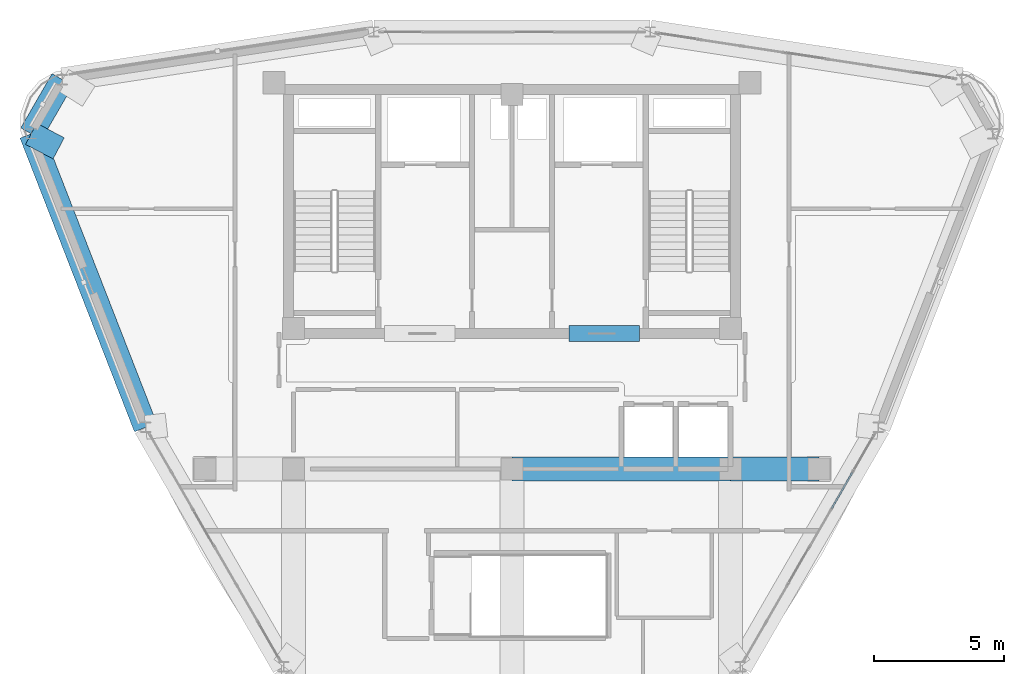
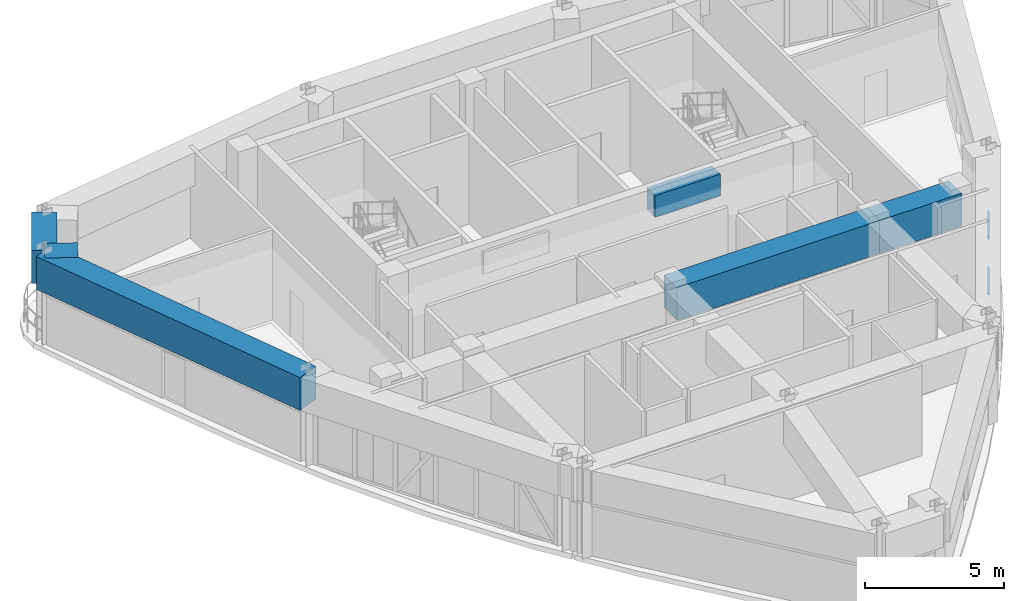
# One storey, part 6 of 16: 6 beams, 2 members, 1 element without a shape of its own.
"""IFC4 building model written with IfcOpenShell, lengths in metres."""

import ifcopenshell
import ifcopenshell.guid

model = None  # the IFC model being written
_history = None  # IfcOwnerHistory: only IFC2X3 demands one
_inside = {}  # id of a spatial element -> (the spatial element, [elements in it])
_under = {}  # id of a project, library or spatial element -> (it, [spatial elements below it])
_declared = {}  # id of a project -> (the project, [libraries it declares])
_typed = {}  # id of a type object -> (the type object, [elements of that type])
_made_of = {}  # id of a material, layer set ... -> (it, [elements and type objects made of it])


def new_model(schema):
    """Start an empty IFC model of exactly this schema.

    Asked for "IFC4X3", IfcOpenShell would pick the latest addendum, in which some entities
    have other attributes; the version numbers below select the first issue.
    IFC2X3 requires an IfcOwnerHistory on every rooted entity: one is made here for all.
    """
    global model, _history
    if schema == "IFC4X3":
        model = ifcopenshell.file(schema_version=(4, 3, 0, 0))
    else:
        model = ifcopenshell.file(schema=schema)
    _inside.clear()
    _under.clear()
    _declared.clear()
    _typed.clear()
    _made_of.clear()
    _history = None
    if model.schema == "IFC2X3":
        org = make("IfcOrganization", Name="unknown")
        user = make(
            "IfcPersonAndOrganization",
            ThePerson=make("IfcPerson", FamilyName="unknown"),
            TheOrganization=org,
        )
        app = make(
            "IfcApplication",
            ApplicationDeveloper=org,
            Version="unknown",
            ApplicationFullName="unknown",
            ApplicationIdentifier="unknown",
        )
        _history = make(
            "IfcOwnerHistory",
            OwningUser=user,
            OwningApplication=app,
            ChangeAction="ADDED",
            CreationDate=0,
        )
    return model


def make(cls, **values):
    """One entity of the class cls with the attributes given. An attribute that is None is left unset."""
    return model.create_entity(
        cls, **{name: value for name, value in values.items() if value is not None}
    )


def rooted(cls, **values):
    """An entity with a GlobalId (a new one), such as an element, a storey or a relation."""
    return make(cls, GlobalId=ifcopenshell.guid.new(), OwnerHistory=_history, **values)


def si_unit(unit_type, name, prefix=None):
    """IfcSIUnit, for example si_unit("LENGTHUNIT", "METRE", prefix="MILLI")."""
    return make("IfcSIUnit", UnitType=unit_type, Prefix=prefix, Name=name)


def derived_unit(unit_type, elements):
    """IfcDerivedUnit: a product of units, each with its exponent."""
    return make(
        "IfcDerivedUnit",
        Elements=[
            make("IfcDerivedUnitElement", Unit=unit, Exponent=power)
            for unit, power in elements
        ],
        UnitType=unit_type,
    )


def assignment(units):
    """IfcUnitAssignment: the units of a project."""
    return None if units is None else make("IfcUnitAssignment", Units=units)


def point(xyz):
    """IfcCartesianPoint."""
    return None if xyz is None else make("IfcCartesianPoint", Coordinates=xyz)


def direction(xyz):
    """IfcDirection."""
    return None if xyz is None else make("IfcDirection", DirectionRatios=xyz)


def frame(location, z_axis=None, x_axis=None):
    """IfcAxis2Placement3D, a coordinate frame: its origin and axes. An axis left out is left unset."""
    return make(
        "IfcAxis2Placement3D",
        Location=point(location),
        Axis=direction(z_axis),
        RefDirection=direction(x_axis),
    )


def frame_2d(location, x_axis=None):
    """IfcAxis2Placement2D, a coordinate frame in the plane: its origin and x axis."""
    return make(
        "IfcAxis2Placement2D", Location=point(location), RefDirection=direction(x_axis)
    )


def origin():
    """The frame at (0, 0, 0) with its axes left unset."""
    return frame((0.0, 0.0, 0.0))


def origin_2d():
    """The frame at (0, 0) in the plane with its x axis left unset."""
    return frame_2d((0.0, 0.0))


def place(relative_to, where):
    """IfcLocalPlacement: puts the frame where relative to a parent placement (None: the world)."""
    return make(
        "IfcLocalPlacement", PlacementRelTo=relative_to, RelativePlacement=where
    )


def context(
    kind, dimensions, precision=None, world=None, true_north=None, identifier=None
):
    """IfcGeometricRepresentationContext, for example the 3D "Model" context."""
    return make(
        "IfcGeometricRepresentationContext",
        ContextIdentifier=identifier,
        ContextType=kind,
        CoordinateSpaceDimension=dimensions,
        Precision=precision,
        WorldCoordinateSystem=world,
        TrueNorth=true_north,
    )


def subcontext(parent, identifier, kind, view, scale=None):
    """IfcGeometricRepresentationSubContext, for example "Body" below "Model"."""
    return make(
        "IfcGeometricRepresentationSubContext",
        ContextIdentifier=identifier,
        ContextType=kind,
        ParentContext=parent,
        TargetScale=scale,
        TargetView=view,
    )


def project(units=None, contexts=None):
    """IfcProject with its units and contexts."""
    return rooted(
        "IfcProject",
        Name="project",
        RepresentationContexts=contexts,
        UnitsInContext=assignment(units),
    )


def spatial(cls, under=None, at=None, **own):
    """A site, building, storey or space (cls), placed at a placement, below another one or the project."""
    s = rooted(cls, ObjectPlacement=at, **own)
    if under is not None:
        _under.setdefault(under.id(), (under, []))[1].append(s)
    return s


def profile(cls, at=None, kind="AREA", **sizes):
    """A parametric profile (cls). Its sizes go by their IFC names, for example OverallWidth=200.0."""
    return make(cls, ProfileType=kind, Position=at, **sizes)


def rectangle(**sizes):
    """IfcRectangleProfileDef."""
    return profile("IfcRectangleProfileDef", **sizes)


def hollow_rectangle(**sizes):
    """IfcRectangleHollowProfileDef."""
    return profile("IfcRectangleHollowProfileDef", **sizes)


def extrude(swept, where, along, depth):
    """IfcExtrudedAreaSolid: the profile swept, set in the frame where, extruded along a direction by depth."""
    return make(
        "IfcExtrudedAreaSolid",
        SweptArea=swept,
        Position=where,
        ExtrudedDirection=direction(along),
        Depth=depth,
    )


def shape(context_of_items, identifier, shape_type, items):
    """IfcShapeRepresentation: the items that make up one representation, for example the "Body"."""
    return make(
        "IfcShapeRepresentation",
        ContextOfItems=context_of_items,
        RepresentationIdentifier=identifier,
        RepresentationType=shape_type,
        Items=items,
    )


def source(mapping_origin, context_of_items, identifier, shape_type, items):
    """IfcRepresentationMap: a shape defined once, which mapped items show again and again."""
    return make(
        "IfcRepresentationMap",
        MappingOrigin=mapping_origin,
        MappedRepresentation=shape(context_of_items, identifier, shape_type, items),
    )


def transform(
    local_origin,
    x_axis=None,
    y_axis=None,
    z_axis=None,
    scale=None,
    scale2=None,
    scale3=None,
    uniform=True,
):
    """IfcCartesianTransformationOperator3D, or its non-uniform kind. x_axis, y_axis, z_axis: its Axis1, 2, 3."""
    if uniform:
        return make(
            "IfcCartesianTransformationOperator3D",
            Axis1=direction(x_axis),
            Axis2=direction(y_axis),
            LocalOrigin=point(local_origin),
            Scale=scale,
            Axis3=direction(z_axis),
        )
    return make(
        "IfcCartesianTransformationOperator3DnonUniform",
        Axis1=direction(x_axis),
        Axis2=direction(y_axis),
        LocalOrigin=point(local_origin),
        Scale=scale,
        Axis3=direction(z_axis),
        Scale2=scale2,
        Scale3=scale3,
    )


def mapped(mapping_source, mapping_target):
    """IfcMappedItem: shows the shape of a source again, moved by a transform."""
    return make(
        "IfcMappedItem", MappingSource=mapping_source, MappingTarget=mapping_target
    )


def material(Name=None, Category=None):
    """IfcMaterial."""
    return make("IfcMaterial", Name=Name, Category=Category)


def layer(
    of_material, thickness, ventilated=None, Name=None, Category=None, Priority=None
):
    """IfcMaterialLayer: one layer of a wall or slab, of a material (None: an air gap)."""
    return make(
        "IfcMaterialLayer",
        Material=of_material,
        LayerThickness=thickness,
        IsVentilated=ventilated,
        Name=Name,
        Category=Category,
        Priority=Priority,
    )


def layer_set(layers, Name=None):
    """IfcMaterialLayerSet."""
    return make("IfcMaterialLayerSet", MaterialLayers=layers, LayerSetName=Name)


def material_profile(
    of_material, cross_section, Name=None, Category=None, Priority=None
):
    """IfcMaterialProfile: a cross section and its material."""
    return make(
        "IfcMaterialProfile",
        Name=Name,
        Material=of_material,
        Profile=cross_section,
        Priority=Priority,
        Category=Category,
    )


def profile_set(profiles, Name=None, composite=None):
    """IfcMaterialProfileSet."""
    return make(
        "IfcMaterialProfileSet",
        Name=Name,
        MaterialProfiles=profiles,
        CompositeProfile=composite,
    )


def made_of(thing, what):
    """Note that an element or type object is made of a material, layer set ...; save() writes the relation."""
    if what is not None:
        _made_of.setdefault(what.id(), (what, []))[1].append(thing)
    return thing


def type_object(cls, material=None, **own):
    """A type object (cls), such as IfcWallType, which elements share."""
    return made_of(rooted(cls, **own), material)


def element(
    cls,
    number,
    at=None,
    inside=None,
    cuts=None,
    type_object=None,
    material=None,
    context=None,
    identifier="Body",
    shape_type=None,
    held_by="IfcProductDefinitionShape",
    body=None,
    shapes=None,
    **own,
):
    """One element of the class cls, such as IfcWall. Its Tag is "e" and its number.

    at: its placement. inside: the storey or other place that contains it. cuts: it is an
    opening in that element (IfcRelVoidsElement). A single representation is given by context,
    identifier, shape_type and body (its items); several are given by shapes. held_by: the class
    of the entity that holds the representations. save() writes the other relations.
    """
    e = rooted(cls, Tag="e%d" % number, ObjectPlacement=at, **own)
    if body is not None:
        shapes = [shape(context, identifier, shape_type, body)]
    if shapes is not None:
        e.Representation = make(held_by, Representations=shapes)
    if inside is not None:
        _inside.setdefault(inside.id(), (inside, []))[1].append(e)
    if cuts is not None:
        rooted(
            "IfcRelVoidsElement", RelatingBuildingElement=cuts, RelatedOpeningElement=e
        )
    if type_object is not None:
        _typed.setdefault(type_object.id(), (type_object, []))[1].append(e)
    return made_of(e, material)


def aggregate(whole, parts):
    """IfcRelAggregates: a whole, such as a stair, and the parts it consists of."""
    return rooted("IfcRelAggregates", RelatingObject=whole, RelatedObjects=parts)


def save(model, path):
    """Write the relations noted so far, then the file.

    IfcRelAggregates (storeys below a building ...), IfcRelContainedInSpatialStructure (elements
    in a storey), IfcRelDefinesByType, IfcRelAssociatesMaterial and IfcRelDeclares: one each for
    every whole, place, type object, material and project.
    """
    for whole, parts in _under.values():
        aggregate(whole, parts)
    for where, things in _inside.values():
        rooted(
            "IfcRelContainedInSpatialStructure",
            RelatedElements=things,
            RelatingStructure=where,
        )
    for kind, things in _typed.values():
        rooted("IfcRelDefinesByType", RelatedObjects=things, RelatingType=kind)
    for what, things in _made_of.values():
        rooted("IfcRelAssociatesMaterial", RelatedObjects=things, RelatingMaterial=what)
    for by, libraries in _declared.values():
        rooted("IfcRelDeclares", RelatingContext=by, RelatedDefinitions=libraries)
    model.write(path)


model = new_model("IFC4")

# Units and contexts
model_context = context("Model", 3, precision=1e-05, world=origin(), true_north=direction((0.0, 1.0)))
body_context = subcontext(model_context, "Body", "Model", "MODEL_VIEW")
ifc_project = project(units=[si_unit("LENGTHUNIT", "METRE"), si_unit("AREAUNIT", "SQUARE_METRE"), si_unit("VOLUMEUNIT", "CUBIC_METRE"), si_unit("PLANEANGLEUNIT", "RADIAN"), si_unit("MASSUNIT", "GRAM", prefix="KILO"), derived_unit("THERMALTRANSMITTANCEUNIT", [(si_unit("POWERUNIT", "WATT"), 1), (si_unit("LENGTHUNIT", "METRE"), -2), (si_unit("THERMODYNAMICTEMPERATUREUNIT", "KELVIN"), -1)])], contexts=[model_context])

# Site, building, storey
site_placement = place(None, origin())
site = spatial("IfcSite", under=ifc_project, at=site_placement, CompositionType="ELEMENT")
building_placement = place(site_placement, origin())
building = spatial("IfcBuilding", under=site, at=building_placement, Name="Korsvarv Bourse and Concert Hall", CompositionType="ELEMENT")
storey_placement = place(building_placement, frame((0.0, 0.0, 288.0)))
storey = spatial("IfcBuildingStorey", under=building, at=storey_placement, Name="L75", CompositionType="ELEMENT", Elevation=288.0)

# Beams
ifc_material_1 = material(Name="Concrete C55/67", Category="concrete")
ifc_material_profile_1 = material_profile(ifc_material_1, rectangle(XDim=0.60009765625, YDim=0.949951171875, at=origin_2d()), Name="RC-BM 600x950")
ifc_profile_set_1 = profile_set([ifc_material_profile_1], Name="Concrete C55/67")
beam_type_1 = type_object("IfcBeamType", Name="BM-CPL", PredefinedType="LINTEL", material=ifc_profile_set_1)
shared_shape_1 = source(origin(), body_context, "Body", "SweptSolid", [
    extrude(rectangle(XDim=0.60009765625, YDim=0.949951171875, at=origin_2d()), origin(), (0.0, 0.0, 1.0), 2.699951171875),
])
beam_1_placement = place(storey_placement, frame((38.199951171875, 37.610107421875, 3.47509765625), z_axis=(1.0, 0.0, 0.0), x_axis=(0.0, 1.0, 0.0)))
element("IfcBeam", 1, at=beam_1_placement, inside=storey, type_object=beam_type_1, Name="L75 Core Coupling Beam East", PredefinedType="LINTEL", context=body_context, shape_type="MappedRepresentation", body=[
    mapped(shared_shape_1, transform((0.0, 0.0, 0.0), scale=1.0)),
])
ifc_material_2 = material(Name="Concrete C50/60", Category="concrete")
ifc_material_profile_2 = material_profile(ifc_material_2, rectangle(XDim=0.919921875, YDim=1.43994140625, at=origin_2d()), Name="RC-BM 920x1440")
ifc_profile_set_2 = profile_set([ifc_material_profile_2], Name="Concrete C50/60")
beam_type_2 = type_object("IfcBeamType", Name="BM-TR-144", PredefinedType="BEAM", material=ifc_profile_set_2)
shared_shape_2 = source(origin(), body_context, "Body", "SweptSolid", [
    extrude(rectangle(XDim=0.919921875, YDim=1.43994140625, at=origin_2d()), origin(), (0.0, 0.0, 1.0), 3.400146484375),
])
beam_2_placement = place(storey_placement, frame((44.39990234375, 32.39990234375, 3.22998046875), z_axis=(1.0, 0.0, 0.0), x_axis=(0.0, 1.0, 0.0)))
element("IfcBeam", 2, at=beam_2_placement, inside=storey, type_object=beam_type_2, Name="L75 beam B-TR4", PredefinedType="BEAM", context=body_context, shape_type="MappedRepresentation", body=[
    mapped(shared_shape_2, transform((0.0, 0.0, 0.0), scale=1.0)),
])
shared_shape_3 = source(origin(), body_context, "Body", "SweptSolid", [
    extrude(rectangle(XDim=0.919921875, YDim=1.43994140625, at=origin_2d()), origin(), (0.0, 0.0, 1.0), 8.39990234375),
])
beam_3_placement = place(storey_placement, frame((36.0, 32.39990234375, 3.22998046875), z_axis=(1.0, 0.0, 0.0), x_axis=(0.0, 1.0, 0.0)))
element("IfcBeam", 3, at=beam_3_placement, inside=storey, type_object=beam_type_2, Name="L75 beam B-TR4", PredefinedType="BEAM", context=body_context, shape_type="MappedRepresentation", body=[
    mapped(shared_shape_3, transform((0.0, 0.0, 0.0), scale=1.0)),
])
shared_shape_4 = source(origin(), body_context, "Body", "SweptSolid", [
    extrude(rectangle(XDim=0.919921875, YDim=1.43994140625, at=origin_2d()), origin(), (0.0, 0.0, 1.0), 2.40576171875),
])
beam_4_placement = place(storey_placement, frame((18.71142578125, 47.37060546875, 3.22998046875), z_axis=(-0.499991841196, -0.866030114221, 0.0), x_axis=(0.866030114221, -0.499991841196, 0.0)))
element("IfcBeam", 4, at=beam_4_placement, inside=storey, type_object=beam_type_2, Name="L75 beam B-TR4", PredefinedType="BEAM", context=body_context, shape_type="MappedRepresentation", body=[
    mapped(shared_shape_4, transform((0.0, 0.0, 0.0), scale=1.0)),
])
shared_shape_5 = source(origin(), body_context, "Body", "SweptSolid", [
    extrude(rectangle(XDim=0.919921875, YDim=1.43994140625, at=origin_2d()), origin(), (0.0, 0.0, 1.0), 12.117919921875),
])
beam_5_placement = place(storey_placement, frame((17.508544921875, 45.287109375, 3.22998046875), z_axis=(0.363213243367, -0.931706037247, 0.0), x_axis=(0.931706037247, 0.363213243367, 0.0)))
element("IfcBeam", 5, at=beam_5_placement, inside=storey, type_object=beam_type_2, Name="L75 beam B-TR4", PredefinedType="BEAM", context=body_context, shape_type="MappedRepresentation", body=[
    mapped(shared_shape_5, transform((0.0, 0.0, 0.0), scale=1.0)),
])
shared_shape_6 = source(origin(), body_context, "Body", "SweptSolid", [
    extrude(rectangle(XDim=0.919921875, YDim=1.43994140625, at=origin_2d()), origin(), (0.0, 0.0, 1.0), 1.197265625),
])
beam_6_placement = place(storey_placement, frame((17.508544921875, 45.287109375, 3.22998046875), z_axis=(0.883956499291, -0.467569147145, 0.0), x_axis=(0.467569147145, 0.883956499291, 0.0)))
element("IfcBeam", 6, at=beam_6_placement, inside=storey, type_object=beam_type_2, Name="L75 beam B-TR4", PredefinedType="BEAM", context=body_context, shape_type="MappedRepresentation", body=[
    mapped(shared_shape_6, transform((0.0, 0.0, 0.0), scale=1.0)),
])

# Curtain wall, members
ifc_material_3 = material(Name="Anodised aluminium and triple low-E glazing", Category="glass")
ifc_layer = layer(ifc_material_3, 0.18994140625)
ifc_layer_set = layer_set([ifc_layer], Name="Anodised aluminium and triple low-E glazing")
curtain_wall_type = type_object("IfcCurtainWallType", Name="CW-SYS-4", PredefinedType="NOTDEFINED", material=ifc_layer_set)
curtain_wall_placement = place(storey_placement, origin())
curtain_wall = element("IfcCurtainWall", 7, at=curtain_wall_placement, inside=storey, type_object=curtain_wall_type, Name="L75 CW4 curtain wall CW-L75-F11", PredefinedType="NOTDEFINED")
ifc_material_4 = material(Name="Extruded aluminium EN AW-6063 T66", Category="aluminium")
ifc_material_profile_3 = material_profile(ifc_material_4, hollow_rectangle(XDim=0.06494140625, YDim=0.139892578125, WallThickness=0.00390625, at=origin_2d()), Name="ALU-T 65x140")
ifc_profile_set_3 = profile_set([ifc_material_profile_3], Name="Extruded aluminium EN AW-6063 T66")
member_type = type_object("IfcMemberType", Name="CWT-140", PredefinedType="USERDEFINED", material=ifc_profile_set_3)
shared_shape_7 = source(origin(), body_context, "Body", "SweptSolid", [
    extrude(hollow_rectangle(XDim=0.06494140625, YDim=0.139892578125, WallThickness=0.00390625, at=origin_2d()), origin(), (0.0, 0.0, 1.0), 1.60400390625),
])
member_1_placement = place(storey_placement, frame((48.28955078125, 30.878173828125, 0.032470703125), z_axis=(0.499985955615, 0.866033512162, 0.0), x_axis=(-0.866033512162, 0.499985955615, 0.0)))
member_1 = element("IfcMember", 8, at=member_1_placement, type_object=member_type, Name="CW4 transom 5.1", ObjectType="TRANSOM", PredefinedType="USERDEFINED", context=body_context, shape_type="MappedRepresentation", body=[
    mapped(shared_shape_7, transform((0.0, 0.0, 0.0), scale=1.0)),
])
member_2_placement = place(storey_placement, frame((48.28955078125, 30.878173828125, 2.4775390625), z_axis=(0.499985955615, 0.866033512162, 0.0), x_axis=(-0.866033512162, 0.499985955615, 0.0)))
member_2 = element("IfcMember", 9, at=member_2_placement, type_object=member_type, Name="CW4 transom 5.2", ObjectType="TRANSOM", PredefinedType="USERDEFINED", context=body_context, shape_type="MappedRepresentation", body=[
    mapped(shared_shape_7, transform((0.0, 0.0, 0.0), scale=1.0)),
])
aggregate(curtain_wall, [member_1, member_2])

save(model, "model.ifc")
